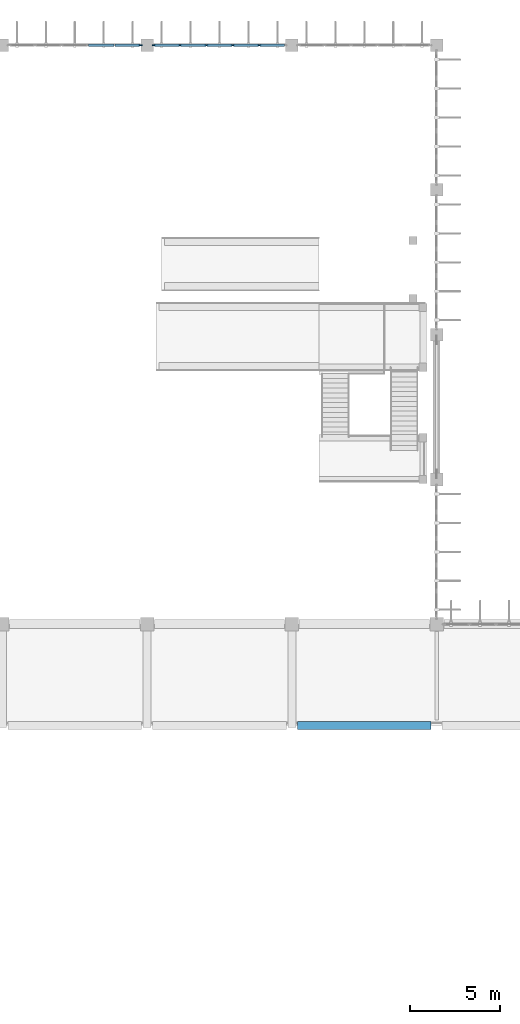
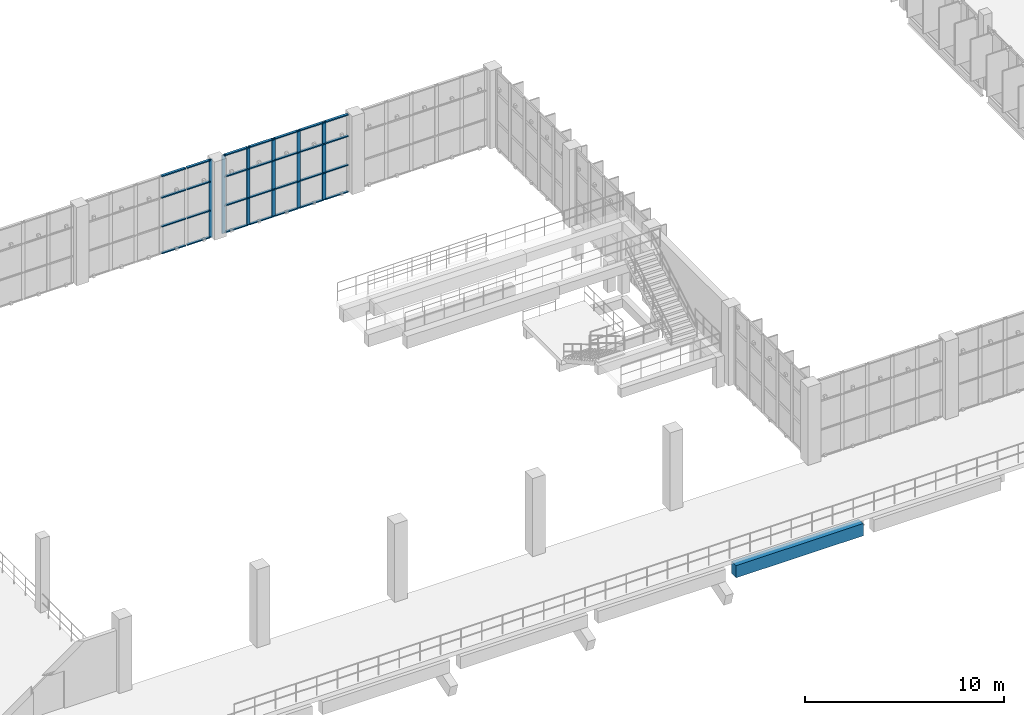
# One storey, part 28 of 93: 34 members, 1 beam, 2 elements without a shape of their own.
"""IFC4 building model written with IfcOpenShell, lengths in metres."""

from ifc_helpers import new_model, si_unit, direction, frame, origin, origin_2d, place, context, subcontext, project, spatial, rectangle, extrude, material, layer, layer_set, material_profile, profile_set, type_object, element, aggregate, save


model = new_model("IFC4")

# Units and contexts
model_context = context("Model", 3, precision=1e-05, world=origin(), true_north=direction((0.0, 1.0)))
body_context = subcontext(model_context, "Body", "Model", "MODEL_VIEW")
ifc_project = project(units=[si_unit("LENGTHUNIT", "METRE"), si_unit("AREAUNIT", "SQUARE_METRE"), si_unit("VOLUMEUNIT", "CUBIC_METRE"), si_unit("PLANEANGLEUNIT", "RADIAN"), si_unit("MASSUNIT", "GRAM", prefix="KILO")], contexts=[model_context])

# Site, building, storey
site_placement = place(None, origin())
site = spatial("IfcSite", under=ifc_project, at=site_placement, CompositionType="ELEMENT")
building_placement = place(site_placement, origin())
building = spatial("IfcBuilding", under=site, at=building_placement, Name="Drelvana Railside Aquatics Centre", CompositionType="ELEMENT")
storey_placement = place(building_placement, frame((0.0, 0.0, 5.39990234375)))
storey = spatial("IfcBuildingStorey", under=building, at=storey_placement, Name="L01", CompositionType="ELEMENT", Elevation=5.39990234375)

# Curtain wall, member
ifc_material_1 = material(Name="Bronze-anodised aluminium curtain wall", Category="aluminium")
ifc_layer = layer(ifc_material_1, 0.179931640625, Name="Bronze-anodised aluminium curtain wall")
ifc_layer_set = layer_set([ifc_layer], Name="Bronze-anodised aluminium curtain wall")
curtain_wall_type = type_object("IfcCurtainWallType", Name="CW-Z2-CLER", PredefinedType="NOTDEFINED", material=ifc_layer_set)
curtain_wall_1_placement = place(storey_placement, origin())
curtain_wall_1 = element("IfcCurtainWall", 1, at=curtain_wall_1_placement, inside=storey, type_object=curtain_wall_type, Name="Curtain wall CW-02-035", PredefinedType="NOTDEFINED")
ifc_material_2 = material(Name="Bronze-anodised aluminium 6063-T6", Category="aluminium")
ifc_material_profile_1 = material_profile(ifc_material_2, rectangle(XDim=0.070068359375, YDim=0.199951171875, at=origin_2d()), Name="ALU-M 70x200")
ifc_profile_set_1 = profile_set([ifc_material_profile_1], Name="Bronze-anodised aluminium 6063-T6")
member_type_1 = type_object("IfcMemberType", Name="CW-Z2-CLER-MUL", PredefinedType="MULLION", material=ifc_profile_set_1)
member_1_placement = place(storey_placement, frame((55.62109375, 116.0, -0.005859375), z_axis=(0.0, 0.0, 1.0), x_axis=(0.0, 1.0, 0.0)))
member_1 = element("IfcMember", 2, at=member_1_placement, type_object=member_type_1, Name="CW-02 mullion 6", PredefinedType="MULLION", context=body_context, shape_type="SweptSolid", body=[
    extrude(rectangle(XDim=0.070068359375, YDim=0.199951171875, at=origin_2d()), origin(), (0.0, 0.0, 1.0), 4.7958984375),
])

# Curtain wall, members
curtain_wall_2_placement = place(storey_placement, origin())
curtain_wall_2 = element("IfcCurtainWall", 3, at=curtain_wall_2_placement, inside=storey, type_object=curtain_wall_type, Name="Curtain wall CW-02-038", PredefinedType="NOTDEFINED")
member_2_placement = place(storey_placement, frame((56.37890625, 116.0, -0.005859375), z_axis=(0.0, 0.0, 1.0), x_axis=(0.0, 1.0, 0.0)))
member_2 = element("IfcMember", 4, at=member_2_placement, type_object=member_type_1, Name="CW-02 mullion 1", PredefinedType="MULLION", context=body_context, shape_type="SweptSolid", body=[
    extrude(rectangle(XDim=0.070068359375, YDim=0.199951171875, at=origin_2d()), origin(), (0.0, 0.0, 1.0), 4.7958984375),
])
member_3_placement = place(storey_placement, frame((57.806396484375, 116.0, -0.005859375), z_axis=(0.0, 0.0, 1.0), x_axis=(0.0, 1.0, 0.0)))
member_3 = element("IfcMember", 5, at=member_3_placement, type_object=member_type_1, Name="CW-02 mullion 2", PredefinedType="MULLION", context=body_context, shape_type="SweptSolid", body=[
    extrude(rectangle(XDim=0.070068359375, YDim=0.199951171875, at=origin_2d()), origin(), (0.0, 0.0, 1.0), 4.7958984375),
])
member_4_placement = place(storey_placement, frame((59.268798828125, 116.0, -0.005859375), z_axis=(0.0, 0.0, 1.0), x_axis=(0.0, 1.0, 0.0)))
member_4 = element("IfcMember", 6, at=member_4_placement, type_object=member_type_1, Name="CW-02 mullion 3", PredefinedType="MULLION", context=body_context, shape_type="SweptSolid", body=[
    extrude(rectangle(XDim=0.070068359375, YDim=0.199951171875, at=origin_2d()), origin(), (0.0, 0.0, 1.0), 4.7958984375),
])
member_5_placement = place(storey_placement, frame((60.731201171875, 116.0, -0.005859375), z_axis=(0.0, 0.0, 1.0), x_axis=(0.0, 1.0, 0.0)))
member_5 = element("IfcMember", 7, at=member_5_placement, type_object=member_type_1, Name="CW-02 mullion 4", PredefinedType="MULLION", context=body_context, shape_type="SweptSolid", body=[
    extrude(rectangle(XDim=0.070068359375, YDim=0.199951171875, at=origin_2d()), origin(), (0.0, 0.0, 1.0), 4.7958984375),
])
member_6_placement = place(storey_placement, frame((62.193603515625, 116.0, -0.005859375), z_axis=(0.0, 0.0, 1.0), x_axis=(0.0, 1.0, 0.0)))
member_6 = element("IfcMember", 8, at=member_6_placement, type_object=member_type_1, Name="CW-02 mullion 5", PredefinedType="MULLION", context=body_context, shape_type="SweptSolid", body=[
    extrude(rectangle(XDim=0.070068359375, YDim=0.199951171875, at=origin_2d()), origin(), (0.0, 0.0, 1.0), 4.7958984375),
])

# Member
ifc_material_profile_2 = material_profile(ifc_material_2, rectangle(XDim=0.139892578125, YDim=0.06494140625, at=origin_2d()), Name="ALU-T 65x140")
ifc_profile_set_2 = profile_set([ifc_material_profile_2], Name="Bronze-anodised aluminium 6063-T6")
member_type_2 = type_object("IfcMemberType", Name="CW-Z2-CLER-TRN", PredefinedType="USERDEFINED", material=ifc_profile_set_2)
member_7_placement = place(storey_placement, frame((52.76123046875, 116.0, 0.026611328125), z_axis=(1.0, 0.0, 0.0), x_axis=(0.0, 1.0, 0.0)))
member_7 = element("IfcMember", 9, at=member_7_placement, type_object=member_type_2, Name="CW-02 transom 4.1", ObjectType="TRANSOM", PredefinedType="USERDEFINED", context=body_context, shape_type="SweptSolid", body=[
    extrude(rectangle(XDim=0.139892578125, YDim=0.06494140625, at=origin_2d()), origin(), (0.0, 0.0, 1.0), 1.40234375),
])

member_8_placement = place(storey_placement, frame((52.76123046875, 116.0, 1.673095703125), z_axis=(1.0, 0.0, 0.0), x_axis=(0.0, 1.0, 0.0)))
member_8 = element("IfcMember", 10, at=member_8_placement, type_object=member_type_2, Name="CW-02 transom 4.2", ObjectType="TRANSOM", PredefinedType="USERDEFINED", context=body_context, shape_type="SweptSolid", body=[
    extrude(rectangle(XDim=0.139892578125, YDim=0.06494140625, at=origin_2d()), origin(), (0.0, 0.0, 1.0), 1.40234375),
])

member_9_placement = place(storey_placement, frame((52.76123046875, 116.0, 3.447021484375), z_axis=(1.0, 0.0, 0.0), x_axis=(0.0, 1.0, 0.0)))
member_9 = element("IfcMember", 11, at=member_9_placement, type_object=member_type_2, Name="CW-02 transom 4.3", ObjectType="TRANSOM", PredefinedType="USERDEFINED", context=body_context, shape_type="SweptSolid", body=[
    extrude(rectangle(XDim=0.139892578125, YDim=0.06494140625, at=origin_2d()), origin(), (0.0, 0.0, 1.0), 1.40234375),
])

member_10_placement = place(storey_placement, frame((52.76123046875, 116.0, 4.757568359375), z_axis=(1.0, 0.0, 0.0), x_axis=(0.0, 1.0, 0.0)))
member_10 = element("IfcMember", 12, at=member_10_placement, type_object=member_type_2, Name="CW-02 transom 4.4", ObjectType="TRANSOM", PredefinedType="USERDEFINED", context=body_context, shape_type="SweptSolid", body=[
    extrude(rectangle(XDim=0.139892578125, YDim=0.06494140625, at=origin_2d()), origin(), (0.0, 0.0, 1.0), 1.40234375),
])

member_11_placement = place(storey_placement, frame((54.2236328125, 116.0, 0.026611328125), z_axis=(1.0, 0.0, 0.0), x_axis=(0.0, 1.0, 0.0)))
member_11 = element("IfcMember", 13, at=member_11_placement, type_object=member_type_2, Name="CW-02 transom 5.1", ObjectType="TRANSOM", PredefinedType="USERDEFINED", context=body_context, shape_type="SweptSolid", body=[
    extrude(rectangle(XDim=0.139892578125, YDim=0.06494140625, at=origin_2d()), origin(), (0.0, 0.0, 1.0), 1.367431640625),
])

member_12_placement = place(storey_placement, frame((54.2236328125, 116.0, 1.673095703125), z_axis=(1.0, 0.0, 0.0), x_axis=(0.0, 1.0, 0.0)))
member_12 = element("IfcMember", 14, at=member_12_placement, type_object=member_type_2, Name="CW-02 transom 5.2", ObjectType="TRANSOM", PredefinedType="USERDEFINED", context=body_context, shape_type="SweptSolid", body=[
    extrude(rectangle(XDim=0.139892578125, YDim=0.06494140625, at=origin_2d()), origin(), (0.0, 0.0, 1.0), 1.367431640625),
])

member_13_placement = place(storey_placement, frame((54.2236328125, 116.0, 3.447021484375), z_axis=(1.0, 0.0, 0.0), x_axis=(0.0, 1.0, 0.0)))
member_13 = element("IfcMember", 15, at=member_13_placement, type_object=member_type_2, Name="CW-02 transom 5.3", ObjectType="TRANSOM", PredefinedType="USERDEFINED", context=body_context, shape_type="SweptSolid", body=[
    extrude(rectangle(XDim=0.139892578125, YDim=0.06494140625, at=origin_2d()), origin(), (0.0, 0.0, 1.0), 1.367431640625),
])

member_14_placement = place(storey_placement, frame((54.2236328125, 116.0, 4.757568359375), z_axis=(1.0, 0.0, 0.0), x_axis=(0.0, 1.0, 0.0)))
member_14 = element("IfcMember", 16, at=member_14_placement, type_object=member_type_2, Name="CW-02 transom 5.4", ObjectType="TRANSOM", PredefinedType="USERDEFINED", context=body_context, shape_type="SweptSolid", body=[
    extrude(rectangle(XDim=0.139892578125, YDim=0.06494140625, at=origin_2d()), origin(), (0.0, 0.0, 1.0), 1.367431640625),
])

aggregate(curtain_wall_1, [member_1, member_7, member_8, member_9, member_10, member_11, member_12, member_13, member_14])

member_15_placement = place(storey_placement, frame((56.408935546875, 116.0, 0.026611328125), z_axis=(1.0, 0.0, 0.0), x_axis=(0.0, 1.0, 0.0)))
member_15 = element("IfcMember", 17, at=member_15_placement, type_object=member_type_2, Name="CW-02 transom 1.1", ObjectType="TRANSOM", PredefinedType="USERDEFINED", context=body_context, shape_type="SweptSolid", body=[
    extrude(rectangle(XDim=0.139892578125, YDim=0.06494140625, at=origin_2d()), origin(), (0.0, 0.0, 1.0), 1.367431640625),
])

member_16_placement = place(storey_placement, frame((56.408935546875, 116.0, 1.673095703125), z_axis=(1.0, 0.0, 0.0), x_axis=(0.0, 1.0, 0.0)))
member_16 = element("IfcMember", 18, at=member_16_placement, type_object=member_type_2, Name="CW-02 transom 1.2", ObjectType="TRANSOM", PredefinedType="USERDEFINED", context=body_context, shape_type="SweptSolid", body=[
    extrude(rectangle(XDim=0.139892578125, YDim=0.06494140625, at=origin_2d()), origin(), (0.0, 0.0, 1.0), 1.367431640625),
])

member_17_placement = place(storey_placement, frame((56.408935546875, 116.0, 3.447021484375), z_axis=(1.0, 0.0, 0.0), x_axis=(0.0, 1.0, 0.0)))
member_17 = element("IfcMember", 19, at=member_17_placement, type_object=member_type_2, Name="CW-02 transom 1.3", ObjectType="TRANSOM", PredefinedType="USERDEFINED", context=body_context, shape_type="SweptSolid", body=[
    extrude(rectangle(XDim=0.139892578125, YDim=0.06494140625, at=origin_2d()), origin(), (0.0, 0.0, 1.0), 1.367431640625),
])

member_18_placement = place(storey_placement, frame((56.408935546875, 116.0, 4.757568359375), z_axis=(1.0, 0.0, 0.0), x_axis=(0.0, 1.0, 0.0)))
member_18 = element("IfcMember", 20, at=member_18_placement, type_object=member_type_2, Name="CW-02 transom 1.4", ObjectType="TRANSOM", PredefinedType="USERDEFINED", context=body_context, shape_type="SweptSolid", body=[
    extrude(rectangle(XDim=0.139892578125, YDim=0.06494140625, at=origin_2d()), origin(), (0.0, 0.0, 1.0), 1.367431640625),
])

member_19_placement = place(storey_placement, frame((57.83642578125, 116.0, 0.026611328125), z_axis=(1.0, 0.0, 0.0), x_axis=(0.0, 1.0, 0.0)))
member_19 = element("IfcMember", 21, at=member_19_placement, type_object=member_type_2, Name="CW-02 transom 2.1", ObjectType="TRANSOM", PredefinedType="USERDEFINED", context=body_context, shape_type="SweptSolid", body=[
    extrude(rectangle(XDim=0.139892578125, YDim=0.06494140625, at=origin_2d()), origin(), (0.0, 0.0, 1.0), 1.40234375),
])

member_20_placement = place(storey_placement, frame((57.83642578125, 116.0, 1.673095703125), z_axis=(1.0, 0.0, 0.0), x_axis=(0.0, 1.0, 0.0)))
member_20 = element("IfcMember", 22, at=member_20_placement, type_object=member_type_2, Name="CW-02 transom 2.2", ObjectType="TRANSOM", PredefinedType="USERDEFINED", context=body_context, shape_type="SweptSolid", body=[
    extrude(rectangle(XDim=0.139892578125, YDim=0.06494140625, at=origin_2d()), origin(), (0.0, 0.0, 1.0), 1.40234375),
])

member_21_placement = place(storey_placement, frame((57.83642578125, 116.0, 3.447021484375), z_axis=(1.0, 0.0, 0.0), x_axis=(0.0, 1.0, 0.0)))
member_21 = element("IfcMember", 23, at=member_21_placement, type_object=member_type_2, Name="CW-02 transom 2.3", ObjectType="TRANSOM", PredefinedType="USERDEFINED", context=body_context, shape_type="SweptSolid", body=[
    extrude(rectangle(XDim=0.139892578125, YDim=0.06494140625, at=origin_2d()), origin(), (0.0, 0.0, 1.0), 1.40234375),
])

member_22_placement = place(storey_placement, frame((57.83642578125, 116.0, 4.757568359375), z_axis=(1.0, 0.0, 0.0), x_axis=(0.0, 1.0, 0.0)))
member_22 = element("IfcMember", 24, at=member_22_placement, type_object=member_type_2, Name="CW-02 transom 2.4", ObjectType="TRANSOM", PredefinedType="USERDEFINED", context=body_context, shape_type="SweptSolid", body=[
    extrude(rectangle(XDim=0.139892578125, YDim=0.06494140625, at=origin_2d()), origin(), (0.0, 0.0, 1.0), 1.40234375),
])

member_23_placement = place(storey_placement, frame((59.298828125, 116.0, 0.026611328125), z_axis=(1.0, 0.0, 0.0), x_axis=(0.0, 1.0, 0.0)))
member_23 = element("IfcMember", 25, at=member_23_placement, type_object=member_type_2, Name="CW-02 transom 3.1", ObjectType="TRANSOM", PredefinedType="USERDEFINED", context=body_context, shape_type="SweptSolid", body=[
    extrude(rectangle(XDim=0.139892578125, YDim=0.06494140625, at=origin_2d()), origin(), (0.0, 0.0, 1.0), 1.40234375),
])

member_24_placement = place(storey_placement, frame((59.298828125, 116.0, 1.673095703125), z_axis=(1.0, 0.0, 0.0), x_axis=(0.0, 1.0, 0.0)))
member_24 = element("IfcMember", 26, at=member_24_placement, type_object=member_type_2, Name="CW-02 transom 3.2", ObjectType="TRANSOM", PredefinedType="USERDEFINED", context=body_context, shape_type="SweptSolid", body=[
    extrude(rectangle(XDim=0.139892578125, YDim=0.06494140625, at=origin_2d()), origin(), (0.0, 0.0, 1.0), 1.40234375),
])

member_25_placement = place(storey_placement, frame((59.298828125, 116.0, 3.447021484375), z_axis=(1.0, 0.0, 0.0), x_axis=(0.0, 1.0, 0.0)))
member_25 = element("IfcMember", 27, at=member_25_placement, type_object=member_type_2, Name="CW-02 transom 3.3", ObjectType="TRANSOM", PredefinedType="USERDEFINED", context=body_context, shape_type="SweptSolid", body=[
    extrude(rectangle(XDim=0.139892578125, YDim=0.06494140625, at=origin_2d()), origin(), (0.0, 0.0, 1.0), 1.40234375),
])

member_26_placement = place(storey_placement, frame((59.298828125, 116.0, 4.757568359375), z_axis=(1.0, 0.0, 0.0), x_axis=(0.0, 1.0, 0.0)))
member_26 = element("IfcMember", 28, at=member_26_placement, type_object=member_type_2, Name="CW-02 transom 3.4", ObjectType="TRANSOM", PredefinedType="USERDEFINED", context=body_context, shape_type="SweptSolid", body=[
    extrude(rectangle(XDim=0.139892578125, YDim=0.06494140625, at=origin_2d()), origin(), (0.0, 0.0, 1.0), 1.40234375),
])

member_27_placement = place(storey_placement, frame((60.76123046875, 116.0, 0.026611328125), z_axis=(1.0, 0.0, 0.0), x_axis=(0.0, 1.0, 0.0)))
member_27 = element("IfcMember", 29, at=member_27_placement, type_object=member_type_2, Name="CW-02 transom 4.1", ObjectType="TRANSOM", PredefinedType="USERDEFINED", context=body_context, shape_type="SweptSolid", body=[
    extrude(rectangle(XDim=0.139892578125, YDim=0.06494140625, at=origin_2d()), origin(), (0.0, 0.0, 1.0), 1.40234375),
])

member_28_placement = place(storey_placement, frame((60.76123046875, 116.0, 1.673095703125), z_axis=(1.0, 0.0, 0.0), x_axis=(0.0, 1.0, 0.0)))
member_28 = element("IfcMember", 30, at=member_28_placement, type_object=member_type_2, Name="CW-02 transom 4.2", ObjectType="TRANSOM", PredefinedType="USERDEFINED", context=body_context, shape_type="SweptSolid", body=[
    extrude(rectangle(XDim=0.139892578125, YDim=0.06494140625, at=origin_2d()), origin(), (0.0, 0.0, 1.0), 1.40234375),
])

member_29_placement = place(storey_placement, frame((60.76123046875, 116.0, 3.447021484375), z_axis=(1.0, 0.0, 0.0), x_axis=(0.0, 1.0, 0.0)))
member_29 = element("IfcMember", 31, at=member_29_placement, type_object=member_type_2, Name="CW-02 transom 4.3", ObjectType="TRANSOM", PredefinedType="USERDEFINED", context=body_context, shape_type="SweptSolid", body=[
    extrude(rectangle(XDim=0.139892578125, YDim=0.06494140625, at=origin_2d()), origin(), (0.0, 0.0, 1.0), 1.40234375),
])

member_30_placement = place(storey_placement, frame((60.76123046875, 116.0, 4.757568359375), z_axis=(1.0, 0.0, 0.0), x_axis=(0.0, 1.0, 0.0)))
member_30 = element("IfcMember", 32, at=member_30_placement, type_object=member_type_2, Name="CW-02 transom 4.4", ObjectType="TRANSOM", PredefinedType="USERDEFINED", context=body_context, shape_type="SweptSolid", body=[
    extrude(rectangle(XDim=0.139892578125, YDim=0.06494140625, at=origin_2d()), origin(), (0.0, 0.0, 1.0), 1.40234375),
])

member_31_placement = place(storey_placement, frame((62.2236328125, 116.0, 0.026611328125), z_axis=(1.0, 0.0, 0.0), x_axis=(0.0, 1.0, 0.0)))
member_31 = element("IfcMember", 33, at=member_31_placement, type_object=member_type_2, Name="CW-02 transom 5.1", ObjectType="TRANSOM", PredefinedType="USERDEFINED", context=body_context, shape_type="SweptSolid", body=[
    extrude(rectangle(XDim=0.139892578125, YDim=0.06494140625, at=origin_2d()), origin(), (0.0, 0.0, 1.0), 1.367431640625),
])

member_32_placement = place(storey_placement, frame((62.2236328125, 116.0, 1.673095703125), z_axis=(1.0, 0.0, 0.0), x_axis=(0.0, 1.0, 0.0)))
member_32 = element("IfcMember", 34, at=member_32_placement, type_object=member_type_2, Name="CW-02 transom 5.2", ObjectType="TRANSOM", PredefinedType="USERDEFINED", context=body_context, shape_type="SweptSolid", body=[
    extrude(rectangle(XDim=0.139892578125, YDim=0.06494140625, at=origin_2d()), origin(), (0.0, 0.0, 1.0), 1.367431640625),
])

member_33_placement = place(storey_placement, frame((62.2236328125, 116.0, 3.447021484375), z_axis=(1.0, 0.0, 0.0), x_axis=(0.0, 1.0, 0.0)))
member_33 = element("IfcMember", 35, at=member_33_placement, type_object=member_type_2, Name="CW-02 transom 5.3", ObjectType="TRANSOM", PredefinedType="USERDEFINED", context=body_context, shape_type="SweptSolid", body=[
    extrude(rectangle(XDim=0.139892578125, YDim=0.06494140625, at=origin_2d()), origin(), (0.0, 0.0, 1.0), 1.367431640625),
])

member_34_placement = place(storey_placement, frame((62.2236328125, 116.0, 4.757568359375), z_axis=(1.0, 0.0, 0.0), x_axis=(0.0, 1.0, 0.0)))
member_34 = element("IfcMember", 36, at=member_34_placement, type_object=member_type_2, Name="CW-02 transom 5.4", ObjectType="TRANSOM", PredefinedType="USERDEFINED", context=body_context, shape_type="SweptSolid", body=[
    extrude(rectangle(XDim=0.139892578125, YDim=0.06494140625, at=origin_2d()), origin(), (0.0, 0.0, 1.0), 1.367431640625),
])

aggregate(curtain_wall_2, [member_2, member_3, member_4, member_5, member_6, member_15, member_16, member_17, member_18, member_19, member_20, member_21, member_22, member_23, member_24, member_25, member_26, member_27, member_28, member_29, member_30, member_31, member_32, member_33, member_34])

# Beam
ifc_material_3 = material(Name="Concrete C40/50", Category="concrete")
ifc_material_profile_3 = material_profile(ifc_material_3, rectangle(XDim=0.449951171875, YDim=0.75, at=origin_2d()), Name="RC 450x750")
ifc_profile_set_3 = profile_set([ifc_material_profile_3], Name="Concrete C40/50")
beam_type = type_object("IfcBeamType", Name="STR-BM-BM-04-RC-450x750", PredefinedType="BEAM", material=ifc_profile_set_3)
beam_placement = place(storey_placement, frame((64.300048828125, 78.39990234375, -0.64990234375), z_axis=(1.0, 0.0, 0.0), x_axis=(0.0, 1.0, 0.0)))
element("IfcBeam", 37, at=beam_placement, inside=storey, type_object=beam_type, Name="Girder BM-04 (L01)", PredefinedType="BEAM", context=body_context, shape_type="SweptSolid", body=[
    extrude(rectangle(XDim=0.449951171875, YDim=0.75, at=origin_2d()), origin(), (0.0, 0.0, 1.0), 7.39990234375),
])

save(model, "model.ifc")
